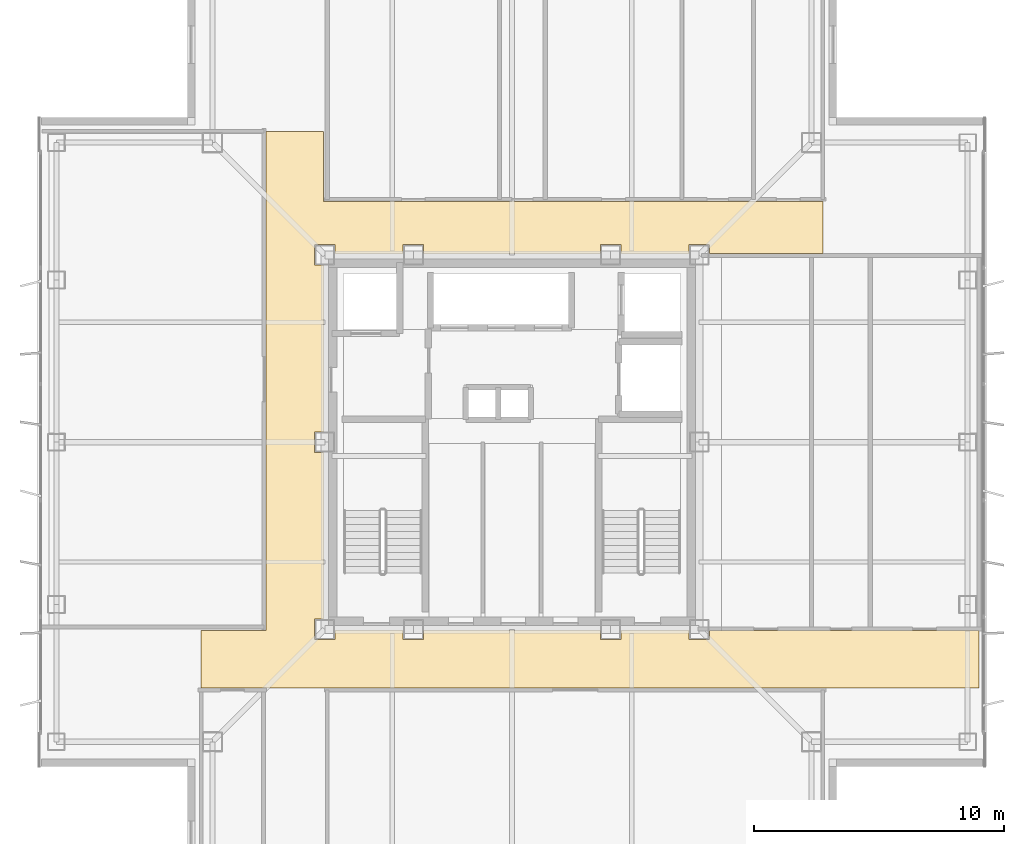
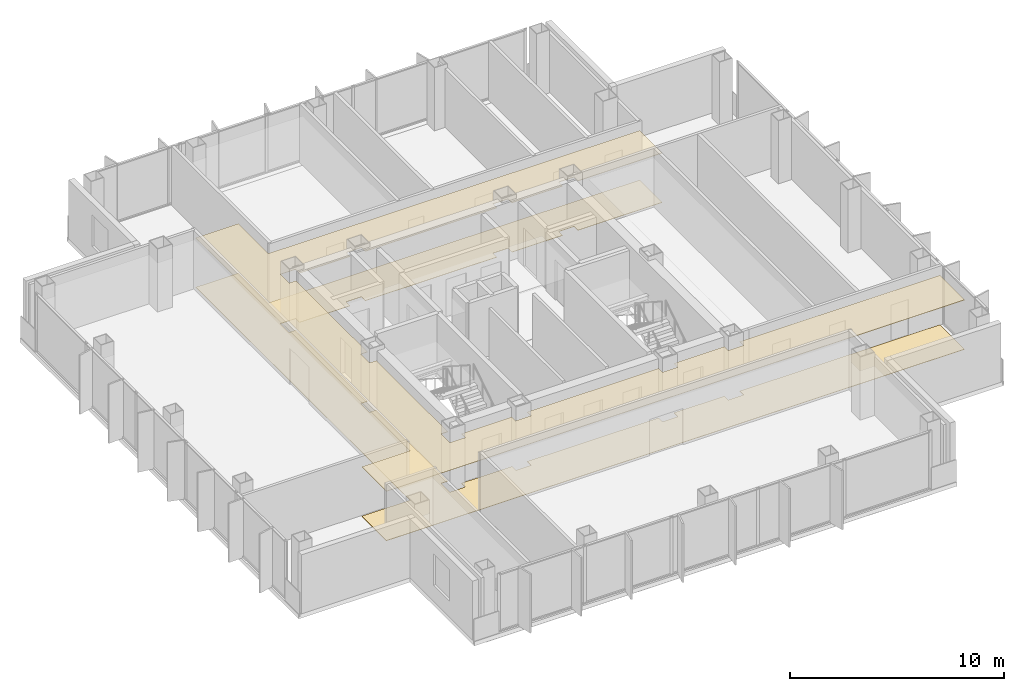
# One storey, part 13 of 15: 2 coverings.
"""IFC4 building model written with IfcOpenShell, lengths in metres."""

from ifc_helpers import new_model, si_unit, direction, frame, origin, place, context, subcontext, project, spatial, polyline, outline, extrude, material, layer, layer_set, type_object, element, save


model = new_model("IFC4")

# Units and contexts
model_context = context("Model", 3, precision=1e-05, world=origin(), true_north=direction((0.0, 1.0)))
body_context = subcontext(model_context, "Body", "Model", "MODEL_VIEW")
ifc_project = project(units=[si_unit("LENGTHUNIT", "METRE"), si_unit("AREAUNIT", "SQUARE_METRE"), si_unit("VOLUMEUNIT", "CUBIC_METRE"), si_unit("PLANEANGLEUNIT", "RADIAN"), si_unit("MASSUNIT", "GRAM", prefix="KILO")], contexts=[model_context])

# Site, building, storey
site_placement = place(None, origin())
site = spatial("IfcSite", under=ifc_project, at=site_placement, CompositionType="ELEMENT")
building_placement = place(site_placement, origin())
building = spatial("IfcBuilding", under=site, at=building_placement, Name="Trevonay Congress Spire", CompositionType="ELEMENT")
storey_placement = place(building_placement, frame((0.0, 0.0, 250.39990234375)))
storey = spatial("IfcBuildingStorey", under=building, at=storey_placement, Name="L65", CompositionType="ELEMENT", Elevation=250.39990234375)

# Coverings
ifc_material_1 = material(Name="Acoustic Mineral Fibre Board", Category="gypsum")
ifc_layer_1 = layer(ifc_material_1, 0.02490234375, Name="Acoustic Mineral Fibre Board")
ifc_layer_set_1 = layer_set([ifc_layer_1], Name="Acoustic Mineral Fibre Board")
covering_type_1 = type_object("IfcCoveringType", Name="COV-CEIL-ACOUSTIC", PredefinedType="CEILING", material=ifc_layer_set_1)
covering_1_placement = place(storey_placement, frame((0.0, 0.0, 2.81005859375)))
element("IfcCovering", 1, at=covering_1_placement, inside=storey, type_object=covering_type_1, Name="L65 Cruciform Boulevard Corridor acoustic suspended ceiling", PredefinedType="CEILING", context=body_context, shape_type="SweptSolid", body=[
    extrude(outline(polyline([(18.699951171875, -7.550048828125), (18.699951171875, -9.85009765625), (-12.449951171875, -9.85009765625), (-12.449951171875, -7.550048828125), (-9.85009765625, -7.550048828125), (-9.85009765625, 12.449951171875), (-7.550048828125, 12.449951171875), (-7.550048828125, 9.64990234375), (12.449951171875, 9.64990234375), (12.449951171875, 7.550048828125), (7.909912109375, 7.550048828125), (7.909912109375, 7.909912109375), (7.090087890625, 7.909912109375), (7.090087890625, 7.550048828125), (4.360107421875, 7.550048828125), (4.360107421875, 7.909912109375), (3.5400390625, 7.909912109375), (3.5400390625, 7.550048828125), (-3.5400390625, 7.550048828125), (-3.5400390625, 7.909912109375), (-4.360107421875, 7.909912109375), (-4.360107421875, 7.550048828125), (-7.090087890625, 7.550048828125), (-7.090087890625, 7.909912109375), (-7.909912109375, 7.909912109375), (-7.909912109375, 7.090087890625), (-7.550048828125, 7.090087890625), (-7.550048828125, 0.409912109375), (-7.909912109375, 0.409912109375), (-7.909912109375, -0.409912109375), (-7.550048828125, -0.409912109375), (-7.550048828125, -7.090087890625), (-7.909912109375, -7.090087890625), (-7.909912109375, -7.909912109375), (-7.090087890625, -7.909912109375), (-7.090087890625, -7.550048828125), (-4.360107421875, -7.550048828125), (-4.360107421875, -7.909912109375), (-3.5400390625, -7.909912109375), (-3.5400390625, -7.550048828125), (3.5400390625, -7.550048828125), (3.5400390625, -7.909912109375), (4.360107421875, -7.909912109375), (4.360107421875, -7.550048828125), (7.090087890625, -7.550048828125), (7.090087890625, -7.909912109375), (7.909912109375, -7.909912109375), (7.909912109375, -7.550048828125), (18.699951171875, -7.550048828125)])), origin(), (0.0, 0.0, 1.0), 0.025146484375),
])
ifc_material_2 = material(Name="Polished Granite Floor Tile", Category="masonry")
ifc_layer_2 = layer(ifc_material_2, 0.02001953125, Name="Polished Granite Floor Tile")
ifc_layer_set_2 = layer_set([ifc_layer_2], Name="Polished Granite Floor Tile")
covering_type_2 = type_object("IfcCoveringType", Name="COV-FLOOR-STONE", PredefinedType="FLOORING", material=ifc_layer_set_2)
covering_2_placement = place(storey_placement, origin())
element("IfcCovering", 2, at=covering_2_placement, inside=storey, type_object=covering_type_2, Name="L65 Cruciform Boulevard Corridor floor finish", PredefinedType="FLOORING", context=body_context, shape_type="SweptSolid", body=[
    extrude(outline(polyline([(18.699951171875, -7.550048828125), (18.699951171875, -9.85009765625), (-12.449951171875, -9.85009765625), (-12.449951171875, -7.550048828125), (-9.85009765625, -7.550048828125), (-9.85009765625, 12.449951171875), (-7.550048828125, 12.449951171875), (-7.550048828125, 9.64990234375), (12.449951171875, 9.64990234375), (12.449951171875, 7.550048828125), (7.909912109375, 7.550048828125), (7.909912109375, 7.909912109375), (7.090087890625, 7.909912109375), (7.090087890625, 7.550048828125), (4.360107421875, 7.550048828125), (4.360107421875, 7.909912109375), (3.5400390625, 7.909912109375), (3.5400390625, 7.550048828125), (-3.5400390625, 7.550048828125), (-3.5400390625, 7.909912109375), (-4.360107421875, 7.909912109375), (-4.360107421875, 7.550048828125), (-7.090087890625, 7.550048828125), (-7.090087890625, 7.909912109375), (-7.909912109375, 7.909912109375), (-7.909912109375, 7.090087890625), (-7.550048828125, 7.090087890625), (-7.550048828125, 0.409912109375), (-7.909912109375, 0.409912109375), (-7.909912109375, -0.409912109375), (-7.550048828125, -0.409912109375), (-7.550048828125, -7.090087890625), (-7.909912109375, -7.090087890625), (-7.909912109375, -7.909912109375), (-7.090087890625, -7.909912109375), (-7.090087890625, -7.550048828125), (-4.360107421875, -7.550048828125), (-4.360107421875, -7.909912109375), (-3.5400390625, -7.909912109375), (-3.5400390625, -7.550048828125), (3.5400390625, -7.550048828125), (3.5400390625, -7.909912109375), (4.360107421875, -7.909912109375), (4.360107421875, -7.550048828125), (7.090087890625, -7.550048828125), (7.090087890625, -7.909912109375), (7.909912109375, -7.909912109375), (7.909912109375, -7.550048828125), (18.699951171875, -7.550048828125)])), origin(), (0.0, 0.0, 1.0), 0.02001953125),
])

save(model, "model.ifc")
